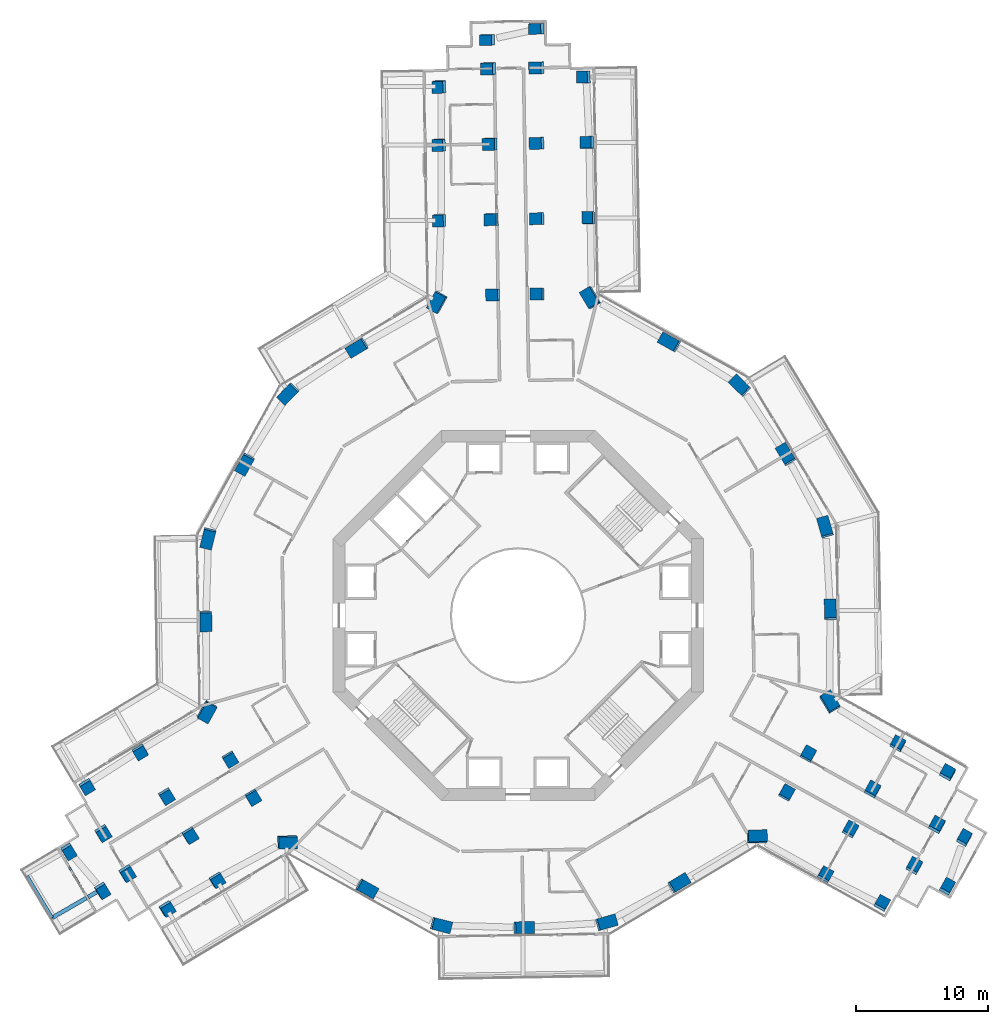
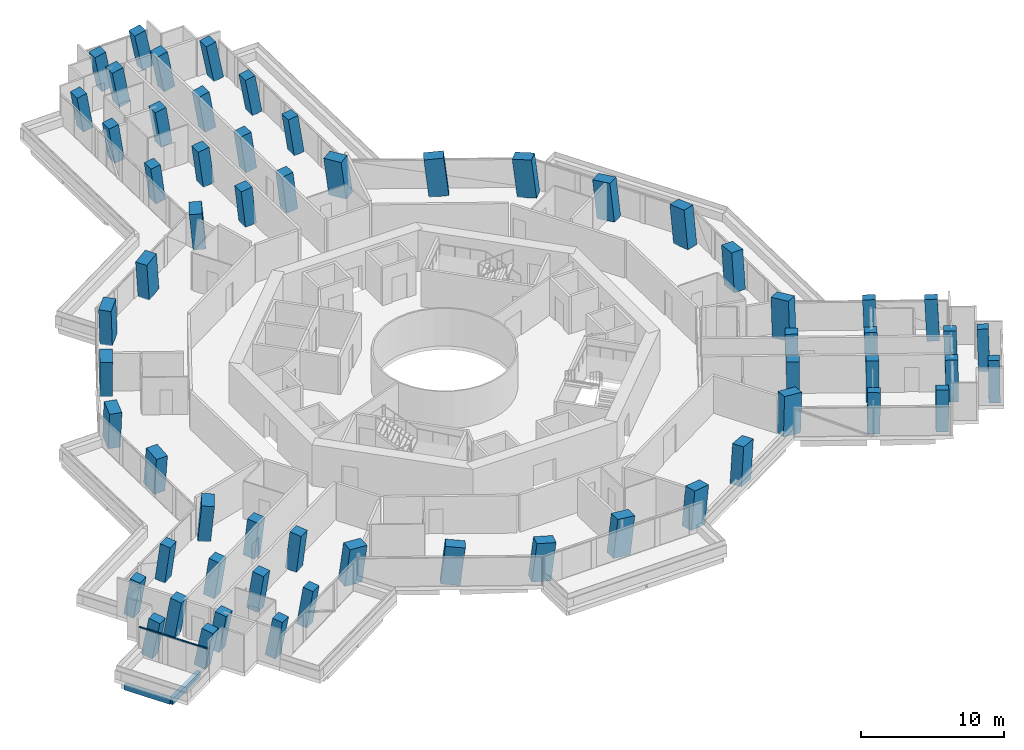
# One storey, part 1 of 25: 61 columns, 2 beams, 1 member, 1 element without a shape of its own.
"""IFC4 building model written with IfcOpenShell, lengths in metres."""

from ifc_helpers import new_model, si_unit, direction, frame, origin, origin_2d, place, context, subcontext, project, spatial, rectangle, extrude, material, layer, layer_set, material_profile, profile_set, type_object, element, aggregate, save


model = new_model("IFC4")

# Units and contexts
model_context = context("Model", 3, precision=1e-05, world=origin(), true_north=direction((0.0, 1.0)))
body_context = subcontext(model_context, "Body", "Model", "MODEL_VIEW")
ifc_project = project(units=[si_unit("LENGTHUNIT", "METRE"), si_unit("AREAUNIT", "SQUARE_METRE"), si_unit("VOLUMEUNIT", "CUBIC_METRE"), si_unit("PLANEANGLEUNIT", "RADIAN"), si_unit("MASSUNIT", "GRAM", prefix="KILO")], contexts=[model_context])

# Site, building, storey
site_placement = place(None, origin())
site = spatial("IfcSite", under=ifc_project, at=site_placement, CompositionType="ELEMENT")
building_placement = place(site_placement, origin())
building = spatial("IfcBuilding", under=site, at=building_placement, Name="Verdalira Terraces Hotel", CompositionType="ELEMENT")
storey_placement = place(building_placement, frame((0.0, 0.0, 39.0)))
storey = spatial("IfcBuildingStorey", under=building, at=storey_placement, Name="L07", CompositionType="ELEMENT", Elevation=39.0)

# Columns
ifc_material_1 = material(Name="Concrete C80", Category="concrete")
ifc_material_profile_1 = material_profile(ifc_material_1, rectangle(XDim=1.399902, YDim=0.899902, at=origin_2d()), Name="RC 1400X900")
ifc_profile_set_1 = profile_set([ifc_material_profile_1], Name="Concrete C80")
column_type_1 = type_object("IfcColumnType", Name="Column RC 1400X900 C80", PredefinedType="COLUMN", material=ifc_profile_set_1)
column_1_placement = place(storey_placement, frame((-6.077637, 23.686279, 0.0), z_axis=(-0.112426319, -0.029797915, 0.993213173), x_axis=(0.478316462, 0.874501313, 0.080379195)))
element("IfcColumn", 1, at=column_1_placement, inside=storey, type_object=column_type_1, Name="Column C07", PredefinedType="COLUMN", context=body_context, shape_type="SweptSolid", body=[
    extrude(rectangle(XDim=1.399902, YDim=0.899902, at=origin_2d()), origin(), (0.0, 0.0, 1.0), 3.21167),
])
column_2_placement = place(storey_placement, frame((-12.14502, 20.244873, 0.0), z_axis=(-0.095823061, -0.058634587, 0.993669928), x_axis=(-0.851951728, -0.511428467, -0.112335108)))
element("IfcColumn", 2, at=column_2_placement, inside=storey, type_object=column_type_1, Name="Column C08", PredefinedType="COLUMN", context=body_context, shape_type="SweptSolid", body=[
    extrude(rectangle(XDim=1.399902, YDim=0.899902, at=origin_2d()), origin(), (0.0, 0.0, 1.0), 3.210205),
])
column_3_placement = place(storey_placement, frame((-17.361084, 16.789062, 0.0), z_axis=(-0.079220615, -0.08325007, 0.993374813), x_axis=(0.690875568, 0.713782466, 0.114915364)))
element("IfcColumn", 3, at=column_3_placement, inside=storey, type_object=column_type_1, Name="Column C09", PredefinedType="COLUMN", context=body_context, shape_type="SweptSolid", body=[
    extrude(rectangle(XDim=1.399902, YDim=0.899902, at=origin_2d()), origin(), (0.0, 0.0, 1.0), 3.211182),
])
column_4_placement = place(storey_placement, frame((-20.640381, 11.459961, 0.0), z_axis=(-0.053691551, -0.098637311, 0.99367394), x_axis=(-0.482457023, -0.868690978, -0.112299622)))
element("IfcColumn", 4, at=column_4_placement, inside=storey, type_object=column_type_1, Name="Column C10", PredefinedType="COLUMN", context=body_context, shape_type="SweptSolid", body=[
    extrude(rectangle(XDim=1.399902, YDim=0.899902, at=origin_2d()), origin(), (0.0, 0.0, 1.0), 3.210205),
])
column_5_placement = place(storey_placement, frame((-23.429688, 5.859131, 0.0), z_axis=(-0.026989812, -0.1116846, 0.993377119), x_axis=(0.241532608, 0.963566831, 0.114895435)))
element("IfcColumn", 5, at=column_5_placement, inside=storey, type_object=column_type_1, Name="Column C11", PredefinedType="COLUMN", context=body_context, shape_type="SweptSolid", body=[
    extrude(rectangle(XDim=1.399902, YDim=0.899902, at=origin_2d()), origin(), (0.0, 0.0, 1.0), 3.211182),
])
column_6_placement = place(storey_placement, frame((-23.60498, -0.395508, 0.0), z_axis=(0.002813845, -0.112325643, 0.993667466), x_axis=(0.016454511, -0.99353167, -0.112356888)))
element("IfcColumn", 6, at=column_6_placement, inside=storey, type_object=column_type_1, Name="Column C12", PredefinedType="COLUMN", context=body_context, shape_type="SweptSolid", body=[
    extrude(rectangle(XDim=1.399902, YDim=0.899902, at=origin_2d()), origin(), (0.0, 0.0, 1.0), 3.210205),
])
column_7_placement = place(storey_placement, frame((-23.540283, -7.241699, 0.0), z_axis=(0.035343639, -0.111655497, 0.993118259), x_axis=(0.490078093, 0.867986237, 0.080145834)))
element("IfcColumn", 7, at=column_7_placement, inside=storey, type_object=column_type_1, Name="Column C13", PredefinedType="COLUMN", context=body_context, shape_type="SweptSolid", body=[
    extrude(rectangle(XDim=1.399902, YDim=0.899902, at=origin_2d()), origin(), (0.0, 0.0, 1.0), 3.212158),
])
column_8_placement = place(storey_placement, frame((-17.474121, -17.106689, 0.0), z_axis=(0.082020711, -0.082400789, 0.993218361), x_axis=(-0.996491804, -0.023413495, 0.080348571)))
element("IfcColumn", 8, at=column_8_placement, inside=storey, type_object=column_type_1, Name="Column C20", PredefinedType="COLUMN", context=body_context, shape_type="SweptSolid", body=[
    extrude(rectangle(XDim=1.399902, YDim=0.899902, at=origin_2d()), origin(), (0.0, 0.0, 1.0), 3.21167),
])
column_9_placement = place(storey_placement, frame((-11.459961, -20.640381, 0.0), z_axis=(0.098637311, -0.053691551, 0.99367394), x_axis=(0.868690978, -0.482457023, -0.112299622)))
element("IfcColumn", 9, at=column_9_placement, inside=storey, type_object=column_type_1, Name="Column C21", PredefinedType="COLUMN", context=body_context, shape_type="SweptSolid", body=[
    extrude(rectangle(XDim=1.399902, YDim=0.899902, at=origin_2d()), origin(), (0.0, 0.0, 1.0), 3.210205),
])
column_10_placement = place(storey_placement, frame((-5.859131, -23.429688, 0.0), z_axis=(0.1116846, -0.026989812, 0.993377119), x_axis=(-0.963566831, 0.241532608, 0.114895435)))
element("IfcColumn", 10, at=column_10_placement, inside=storey, type_object=column_type_1, Name="Column C22", PredefinedType="COLUMN", context=body_context, shape_type="SweptSolid", body=[
    extrude(rectangle(XDim=1.399902, YDim=0.899902, at=origin_2d()), origin(), (0.0, 0.0, 1.0), 3.211182),
])
column_11_placement = place(storey_placement, frame((0.395508, -23.60498, 0.0), z_axis=(0.112325643, 0.002813845, 0.993667466), x_axis=(0.99353167, 0.016454511, -0.112356888)))
element("IfcColumn", 11, at=column_11_placement, inside=storey, type_object=column_type_1, Name="Column C23", PredefinedType="COLUMN", context=body_context, shape_type="SweptSolid", body=[
    extrude(rectangle(XDim=1.399902, YDim=0.899902, at=origin_2d()), origin(), (0.0, 0.0, 1.0), 3.210205),
])
column_12_placement = place(storey_placement, frame((6.640869, -23.220215, 0.0), z_axis=(0.110089596, 0.032464266, 0.993391339), x_axis=(-0.955177519, -0.272879455, 0.11477243)))
element("IfcColumn", 12, at=column_12_placement, inside=storey, type_object=column_type_1, Name="Column C24", PredefinedType="COLUMN", context=body_context, shape_type="SweptSolid", body=[
    extrude(rectangle(XDim=1.399902, YDim=0.899902, at=origin_2d()), origin(), (0.0, 0.0, 1.0), 3.211182),
])
column_13_placement = place(storey_placement, frame((12.14502, -20.244873, 0.0), z_axis=(0.095823061, 0.058634587, 0.993669928), x_axis=(0.851951728, 0.511428467, -0.112335108)))
element("IfcColumn", 13, at=column_13_placement, inside=storey, type_object=column_type_1, Name="Column C25", PredefinedType="COLUMN", context=body_context, shape_type="SweptSolid", body=[
    extrude(rectangle(XDim=1.399902, YDim=0.899902, at=origin_2d()), origin(), (0.0, 0.0, 1.0), 3.210205),
])
column_14_placement = place(storey_placement, frame((18.041748, -16.765625, 0.0), z_axis=(0.078972045, 0.086496812, 0.993117172), x_axis=(-0.99672993, -0.010250883, 0.080152143)))
element("IfcColumn", 14, at=column_14_placement, inside=storey, type_object=column_type_1, Name="Column C26", PredefinedType="COLUMN", context=body_context, shape_type="SweptSolid", body=[
    extrude(rectangle(XDim=1.399902, YDim=0.899902, at=origin_2d()), origin(), (0.0, 0.0, 1.0), 3.212158),
])
column_15_placement = place(storey_placement, frame((23.552002, -6.579834, 0.0), z_axis=(0.030330054, 0.11227441, 0.993214249), x_axis=(0.518750291, -0.851139437, 0.080372844)))
element("IfcColumn", 15, at=column_15_placement, inside=storey, type_object=column_type_1, Name="Column C33", PredefinedType="COLUMN", context=body_context, shape_type="SweptSolid", body=[
    extrude(rectangle(XDim=1.399902, YDim=0.899902, at=origin_2d()), origin(), (0.0, 0.0, 1.0), 3.21167),
])
column_16_placement = place(storey_placement, frame((23.60498, 0.395508, 0.0), z_axis=(-0.002813845, 0.112325643, 0.993667466), x_axis=(-0.016454511, 0.99353167, -0.112356888)))
element("IfcColumn", 16, at=column_16_placement, inside=storey, type_object=column_type_1, Name="Column C34", PredefinedType="COLUMN", context=body_context, shape_type="SweptSolid", body=[
    extrude(rectangle(XDim=1.399902, YDim=0.899902, at=origin_2d()), origin(), (0.0, 0.0, 1.0), 3.210205),
])
column_17_placement = place(storey_placement, frame((23.220215, 6.640869, 0.0), z_axis=(-0.032464266, 0.110089596, 0.993391339), x_axis=(0.272879455, -0.955177519, 0.11477243)))
element("IfcColumn", 17, at=column_17_placement, inside=storey, type_object=column_type_1, Name="Column C35", PredefinedType="COLUMN", context=body_context, shape_type="SweptSolid", body=[
    extrude(rectangle(XDim=1.399902, YDim=0.899902, at=origin_2d()), origin(), (0.0, 0.0, 1.0), 3.211182),
])
column_18_placement = place(storey_placement, frame((20.244873, 12.14502, 0.0), z_axis=(-0.058634587, 0.095823061, 0.993669928), x_axis=(-0.511428467, 0.851951728, -0.112335108)))
element("IfcColumn", 18, at=column_18_placement, inside=storey, type_object=column_type_1, Name="Column C36", PredefinedType="COLUMN", context=body_context, shape_type="SweptSolid", body=[
    extrude(rectangle(XDim=1.399902, YDim=0.899902, at=origin_2d()), origin(), (0.0, 0.0, 1.0), 3.210205),
])
column_19_placement = place(storey_placement, frame((16.789062, 17.361084, 0.0), z_axis=(-0.08325007, 0.079220615, 0.993374813), x_axis=(0.713782466, -0.690875568, 0.114915364)))
element("IfcColumn", 19, at=column_19_placement, inside=storey, type_object=column_type_1, Name="Column C37", PredefinedType="COLUMN", context=body_context, shape_type="SweptSolid", body=[
    extrude(rectangle(XDim=1.399902, YDim=0.899902, at=origin_2d()), origin(), (0.0, 0.0, 1.0), 3.211182),
])
column_20_placement = place(storey_placement, frame((11.459961, 20.640381, 0.0), z_axis=(-0.098637311, 0.053691551, 0.99367394), x_axis=(-0.868690978, 0.482457023, -0.112299622)))
element("IfcColumn", 20, at=column_20_placement, inside=storey, type_object=column_type_1, Name="Column C38", PredefinedType="COLUMN", context=body_context, shape_type="SweptSolid", body=[
    extrude(rectangle(XDim=1.399902, YDim=0.899902, at=origin_2d()), origin(), (0.0, 0.0, 1.0), 3.210205),
])
column_21_placement = place(storey_placement, frame((5.498535, 24.007324, 0.0), z_axis=(-0.114391427, 0.025234521, 0.99311521), x_axis=(0.506584299, -0.858455681, 0.080163528)))
element("IfcColumn", 21, at=column_21_placement, inside=storey, type_object=column_type_1, Name="Column C39", PredefinedType="COLUMN", context=body_context, shape_type="SweptSolid", body=[
    extrude(rectangle(XDim=1.399902, YDim=0.899902, at=origin_2d()), origin(), (0.0, 0.0, 1.0), 3.212158),
])
ifc_material_2 = material(Name="Concrete C80", Category="concrete")
ifc_material_profile_2 = material_profile(ifc_material_2, rectangle(XDim=0.899902, YDim=0.800049, at=origin_2d()), Name="RC 900X800")
ifc_profile_set_2 = profile_set([ifc_material_profile_2], Name="Concrete C80")
column_type_2 = type_object("IfcColumnType", Name="Column RC 900X800 C80", PredefinedType="COLUMN", material=ifc_profile_set_2)
column_22_placement = place(storey_placement, frame((5.397217, 30.058594, 0.0), z_axis=(-0.142396599, 0.017420861, 0.989656366), x_axis=(-0.013831986, 0.99971245, -0.019588091)))
element("IfcColumn", 22, at=column_22_placement, inside=storey, type_object=column_type_2, Name="Column C01", PredefinedType="COLUMN", context=body_context, shape_type="SweptSolid", body=[
    extrude(rectangle(XDim=0.899902, YDim=0.800049, at=origin_2d()), origin(), (0.0, 0.0, 1.0), 3.223389),
])
column_23_placement = place(storey_placement, frame((5.301514, 35.763428, 0.0), z_axis=(-0.168451183, 0.009731394, 0.98566196), x_axis=(-0.01451993, 0.999818275, -0.012352637)))
element("IfcColumn", 23, at=column_23_placement, inside=storey, type_object=column_type_2, Name="Column C02", PredefinedType="COLUMN", context=body_context, shape_type="SweptSolid", body=[
    extrude(rectangle(XDim=0.899902, YDim=0.800049, at=origin_2d()), origin(), (0.0, 0.0, 1.0), 3.236328),
])
column_24_placement = place(storey_placement, frame((5.058594, 40.705811, 0.0), z_axis=(-0.190752832, 0.001427453, 0.981637061), x_axis=(-0.015840805, 0.999864255, -0.004532162)))
element("IfcColumn", 24, at=column_24_placement, inside=storey, type_object=column_type_2, Name="Column C03", PredefinedType="COLUMN", context=body_context, shape_type="SweptSolid", body=[
    extrude(rectangle(XDim=0.899902, YDim=0.800049, at=origin_2d()), origin(), (0.0, 0.0, 1.0), 3.249512),
])
column_25_placement = place(storey_placement, frame((-5.870605, 39.982422, 0.0), z_axis=(-0.186896641, -0.049859128, 0.981113507), x_axis=(0.025350334, -0.998623416, -0.045919866)))
element("IfcColumn", 25, at=column_25_placement, inside=storey, type_object=column_type_2, Name="Column C04", PredefinedType="COLUMN", context=body_context, shape_type="SweptSolid", body=[
    extrude(rectangle(XDim=0.899902, YDim=0.800049, at=origin_2d()), origin(), (0.0, 0.0, 1.0), 3.251465),
])
column_26_placement = place(storey_placement, frame((-5.896973, 35.575684, 0.0), z_axis=(-0.167057669, -0.043045997, 0.985006994), x_axis=(0.023247701, -0.998940686, -0.039712094)))
element("IfcColumn", 26, at=column_26_placement, inside=storey, type_object=column_type_2, Name="Column C05", PredefinedType="COLUMN", context=body_context, shape_type="SweptSolid", body=[
    extrude(rectangle(XDim=0.899902, YDim=0.800049, at=origin_2d()), origin(), (0.0, 0.0, 1.0), 3.238525),
])
column_27_placement = place(storey_placement, frame((-5.891357, 29.869385, 0.0), z_axis=(-0.140990235, -0.036042617, 0.98935468), x_axis=(0.021432228, -0.999213991, -0.033347547)))
element("IfcColumn", 27, at=column_27_placement, inside=storey, type_object=column_type_2, Name="Column C06", PredefinedType="COLUMN", context=body_context, shape_type="SweptSolid", body=[
    extrude(rectangle(XDim=0.899902, YDim=0.800049, at=origin_2d()), origin(), (0.0, 0.0, 1.0), 3.224365),
])
column_28_placement = place(storey_placement, frame((-28.604004, -10.279541, 0.0), z_axis=(0.058786183, -0.129617473, 0.989819931), x_axis=(-0.858440717, -0.512658493, -0.016149448)))
element("IfcColumn", 28, at=column_28_placement, inside=storey, type_object=column_type_2, Name="Column C14", PredefinedType="COLUMN", context=body_context, shape_type="SweptSolid", body=[
    extrude(rectangle(XDim=0.899902, YDim=0.800049, at=origin_2d()), origin(), (0.0, 0.0, 1.0), 3.222656),
])
column_29_placement = place(storey_placement, frame((-32.636475, -12.885254, 0.0), z_axis=(0.079885065, -0.142554823, 0.986557904), x_axis=(-0.857782508, -0.51399028, -0.004812472)))
element("IfcColumn", 29, at=column_29_placement, inside=storey, type_object=column_type_2, Name="Column C15", PredefinedType="COLUMN", context=body_context, shape_type="SweptSolid", body=[
    extrude(rectangle(XDim=0.899902, YDim=0.800049, at=origin_2d()), origin(), (0.0, 0.0, 1.0), 3.233398),
])
column_30_placement = place(storey_placement, frame((-34.022461, -17.786621, 0.0), z_axis=(0.102751801, -0.148519637, 0.983556803), x_axis=(0.504134811, -0.844614686, -0.180205785)))
element("IfcColumn", 30, at=column_30_placement, inside=storey, type_object=column_type_2, Name="Column C16", PredefinedType="COLUMN", context=body_context, shape_type="SweptSolid", body=[
    extrude(rectangle(XDim=0.899902, YDim=0.800049, at=origin_2d()), origin(), (0.0, 0.0, 1.0), 3.243164),
])
column_31_placement = place(storey_placement, frame((-31.480957, -20.73999, 0.0), z_axis=(0.116552518, -0.136429692, 0.98376951), x_axis=(0.501683052, -0.846777185, -0.176868638)))
element("IfcColumn", 31, at=column_31_placement, inside=storey, type_object=column_type_2, Name="Column C17", PredefinedType="COLUMN", context=body_context, shape_type="SweptSolid", body=[
    extrude(rectangle(XDim=0.899902, YDim=0.800049, at=origin_2d()), origin(), (0.0, 0.0, 1.0), 3.242676),
])
column_32_placement = place(storey_placement, frame((-26.57959, -22.125977, 0.0), z_axis=(0.123139548, -0.113556997, 0.985870915), x_axis=(0.852758733, 0.520222797, -0.046591684)))
element("IfcColumn", 32, at=column_32_placement, inside=storey, type_object=column_type_2, Name="Column C18", PredefinedType="COLUMN", context=body_context, shape_type="SweptSolid", body=[
    extrude(rectangle(XDim=0.899902, YDim=0.800049, at=origin_2d()), origin(), (0.0, 0.0, 1.0), 3.235596),
])
column_33_placement = place(storey_placement, frame((-22.790771, -19.969482, 0.0), z_axis=(0.104414891, -0.101613331, 0.989329198), x_axis=(0.854095819, 0.518808235, -0.036855769)))
element("IfcColumn", 33, at=column_33_placement, inside=storey, type_object=column_type_2, Name="Column C19", PredefinedType="COLUMN", context=body_context, shape_type="SweptSolid", body=[
    extrude(rectangle(XDim=0.899902, YDim=0.800049, at=origin_2d()), origin(), (0.0, 0.0, 1.0), 3.224365),
])
column_34_placement = place(storey_placement, frame((23.204346, -19.631836, 0.0), z_axis=(0.082802156, 0.115604839, 0.989838029), x_axis=(0.873127163, -0.487225424, -0.016135159)))
element("IfcColumn", 34, at=column_34_placement, inside=storey, type_object=column_type_2, Name="Column C27", PredefinedType="COLUMN", context=body_context, shape_type="SweptSolid", body=[
    extrude(rectangle(XDim=0.899902, YDim=0.800049, at=origin_2d()), origin(), (0.0, 0.0, 1.0), 3.222656),
])
column_35_placement = place(storey_placement, frame((27.477295, -21.821289, 0.0), z_axis=(0.083509596, 0.140441092, 0.986560919), x_axis=(0.874001493, -0.485899408, -0.004811936)))
element("IfcColumn", 35, at=column_35_placement, inside=storey, type_object=column_type_2, Name="Column C28", PredefinedType="COLUMN", context=body_context, shape_type="SweptSolid", body=[
    extrude(rectangle(XDim=0.899902, YDim=0.800049, at=origin_2d()), origin(), (0.0, 0.0, 1.0), 3.233398),
])
column_36_placement = place(storey_placement, frame((32.414795, -20.571045, 0.0), z_axis=(0.077232941, 0.163273148, 0.983553228), x_axis=(0.479276976, 0.8589601, -0.180225213)))
element("IfcColumn", 36, at=column_36_placement, inside=storey, type_object=column_type_2, Name="Column C29", PredefinedType="COLUMN", context=body_context, shape_type="SweptSolid", body=[
    extrude(rectangle(XDim=0.899902, YDim=0.800049, at=origin_2d()), origin(), (0.0, 0.0, 1.0), 3.243164),
])
column_37_placement = place(storey_placement, frame((33.701904, -16.893311, 0.0), z_axis=(0.059857163, 0.169181188, 0.983765646), x_axis=(0.48235983, 0.857927206, -0.176889522)))
element("IfcColumn", 37, at=column_37_placement, inside=storey, type_object=column_type_2, Name="Column C30", PredefinedType="COLUMN", context=body_context, shape_type="SweptSolid", body=[
    extrude(rectangle(XDim=0.899902, YDim=0.800049, at=origin_2d()), origin(), (0.0, 0.0, 1.0), 3.242676),
])
column_38_placement = place(storey_placement, frame((32.451416, -11.955811, 0.0), z_axis=(0.036745204, 0.16350484, 0.98585798), x_axis=(-0.877037876, 0.478154584, -0.046612853)))
element("IfcColumn", 38, at=column_38_placement, inside=storey, type_object=column_type_2, Name="Column C31", PredefinedType="COLUMN", context=body_context, shape_type="SweptSolid", body=[
    extrude(rectangle(XDim=0.899902, YDim=0.800049, at=origin_2d()), origin(), (0.0, 0.0, 1.0), 3.235596),
])
column_39_placement = place(storey_placement, frame((28.689453, -9.752686, 0.0), z_axis=(0.035814602, 0.141214021, 0.989331044), x_axis=(-0.876262506, 0.480422633, -0.036852598)))
element("IfcColumn", 39, at=column_39_placement, inside=storey, type_object=column_type_2, Name="Column C32", PredefinedType="COLUMN", context=body_context, shape_type="SweptSolid", body=[
    extrude(rectangle(XDim=0.899902, YDim=0.800049, at=origin_2d()), origin(), (0.0, 0.0, 1.0), 3.224365),
])
column_40_placement = place(storey_placement, frame((1.50708, 44.356689, 0.0), z_axis=(-0.207080288, -0.015347599, 0.97820356), x_axis=(-0.978181381, -0.013821314, -0.207292444)))
element("IfcColumn", 40, at=column_40_placement, inside=storey, type_object=column_type_2, Name="Column C40", PredefinedType="COLUMN", context=body_context, shape_type="SweptSolid", body=[
    extrude(rectangle(XDim=0.899902, YDim=0.800049, at=origin_2d()), origin(), (0.0, 0.0, 1.0), 3.260986),
])
column_41_placement = place(storey_placement, frame((-2.219727, 43.53418, 0.0), z_axis=(-0.203120629, -0.03280488, 0.978604031), x_axis=(-0.979008807, -0.010390156, -0.203552944)))
element("IfcColumn", 41, at=column_41_placement, inside=storey, type_object=column_type_2, Name="Column C41", PredefinedType="COLUMN", context=body_context, shape_type="SweptSolid", body=[
    extrude(rectangle(XDim=0.899902, YDim=0.800049, at=origin_2d()), origin(), (0.0, 0.0, 1.0), 3.259766),
])
ifc_material_3 = material(Name="Concrete C80", Category="concrete")
ifc_material_profile_3 = material_profile(ifc_material_3, rectangle(XDim=0.899902, YDim=0.899902, at=origin_2d()), Name="RC 900X900")
ifc_profile_set_3 = profile_set([ifc_material_profile_3], Name="Concrete C80")
column_type_3 = type_object("IfcColumnType", Name="Column RC 900X900 C80", PredefinedType="COLUMN", material=ifc_profile_set_3)
for number, where, z_axis, x_axis, name in (
    (42, (1.499756, 24.286865, 0.0), (-0.115550998, 0.006157652, 0.993282462), (-0.015874823, 0.999841621, -0.008045071), "Column C42"),
    (43, (-1.856201, 24.230713, 0.0), (-0.115172592, -0.009806775, 0.993297086), (-0.017769532, 0.9998116, 0.007810719), "Column C43"),
):
    element("IfcColumn", number, at=place(storey_placement, frame(where, z_axis=z_axis, x_axis=x_axis)), inside=storey, type_object=column_type_3, Name=name, PredefinedType="COLUMN", context=body_context, shape_type="SweptSolid", body=[
        extrude(rectangle(XDim=0.899902, YDim=0.899902, at=origin_2d()), origin(), (0.0, 0.0, 1.0), 3.211426),
    ])
column_42_placement = place(storey_placement, frame((1.499756, 29.993408, 0.0), z_axis=(-0.141972782, -0.001060629, 0.989869994), x_axis=(-0.016583092, 0.999861637, -0.001307106)))
element("IfcColumn", 44, at=column_42_placement, inside=storey, type_object=column_type_3, Name="Column C44", PredefinedType="COLUMN", context=body_context, shape_type="SweptSolid", body=[
    extrude(rectangle(XDim=0.899902, YDim=0.899902, at=origin_2d()), origin(), (0.0, 0.0, 1.0), 3.222656),
])
column_43_placement = place(storey_placement, frame((-1.951904, 29.935547, 0.0), z_axis=(-0.141505942, -0.017423109, 0.989784069), x_axis=(-0.018997454, 0.999708772, 0.014881813)))
element("IfcColumn", 45, at=column_43_placement, inside=storey, type_object=column_type_3, Name="Column C45", PredefinedType="COLUMN", context=body_context, shape_type="SweptSolid", body=[
    extrude(rectangle(XDim=0.899902, YDim=0.899902, at=origin_2d()), origin(), (0.0, 0.0, 1.0), 3.2229),
])
column_44_placement = place(storey_placement, frame((1.499756, 35.699707, 0.0), z_axis=(-0.168086942, -0.008223284, 0.985737875), x_axis=(-0.017649546, 0.999830021, 0.005331263)))
element("IfcColumn", 46, at=column_44_placement, inside=storey, type_object=column_type_3, Name="Column C46", PredefinedType="COLUMN", context=body_context, shape_type="SweptSolid", body=[
    extrude(rectangle(XDim=0.899902, YDim=0.899902, at=origin_2d()), origin(), (0.0, 0.0, 1.0), 3.236084),
])
column_45_placement = place(storey_placement, frame((-2.047363, 35.640381, 0.0), z_axis=(-0.167600433, -0.024966581, 0.985538819), x_axis=(-0.020538414, 0.999550738, 0.021828788)))
element("IfcColumn", 47, at=column_45_placement, inside=storey, type_object=column_type_3, Name="Column C47", PredefinedType="COLUMN", context=body_context, shape_type="SweptSolid", body=[
    extrude(rectangle(XDim=0.899902, YDim=0.899902, at=origin_2d()), origin(), (0.0, 0.0, 1.0), 3.236816),
])
column_46_placement = place(storey_placement, frame((1.499756, 41.40625, 0.0), z_axis=(-0.193840405, -0.015315044, 0.980913527), x_axis=(-0.019055811, 0.999748273, 0.011843452)))
element("IfcColumn", 48, at=column_46_placement, inside=storey, type_object=column_type_3, Name="Column C48", PredefinedType="COLUMN", context=body_context, shape_type="SweptSolid", body=[
    extrude(rectangle(XDim=0.899902, YDim=0.899902, at=origin_2d()), origin(), (0.0, 0.0, 1.0), 3.251953),
])
column_47_placement = place(storey_placement, frame((-2.143066, 41.345215, 0.0), z_axis=(-0.193255586, -0.032421908, 0.980612614), x_axis=(-0.022494025, 0.999337582, 0.028607969)))
element("IfcColumn", 49, at=column_47_placement, inside=storey, type_object=column_type_3, Name="Column C49", PredefinedType="COLUMN", context=body_context, shape_type="SweptSolid", body=[
    extrude(rectangle(XDim=0.899902, YDim=0.899902, at=origin_2d()), origin(), (0.0, 0.0, 1.0), 3.25293),
])
for number, where, z_axis, x_axis, name in (
    (50, (-21.782959, -10.844482, 0.0), (0.052453982, -0.103159499, 0.993280775), (-0.857927973, -0.513706973, -0.008046078), "Column C50"),
    (51, (-20.056152, -13.7229, 0.0), (0.066063018, -0.094799291, 0.993301954), (-0.856935676, -0.515364225, 0.007807892), "Column C51"),
):
    element("IfcColumn", number, at=place(storey_placement, frame(where, z_axis=z_axis, x_axis=x_axis)), inside=storey, type_object=column_type_3, Name=name, PredefinedType="COLUMN", context=body_context, shape_type="SweptSolid", body=[
        extrude(rectangle(XDim=0.899902, YDim=0.899902, at=origin_2d()), origin(), (0.0, 0.0, 1.0), 3.211426),
    ])
column_48_placement = place(storey_placement, frame((-26.597412, -13.624268, 0.0), z_axis=(0.074479842, -0.11994058, 0.989983338), x_axis=(-0.85739263, -0.514658381, 0.002151595)))
element("IfcColumn", 52, at=column_48_placement, inside=storey, type_object=column_type_3, Name="Column C52", PredefinedType="COLUMN", context=body_context, shape_type="SweptSolid", body=[
    extrude(rectangle(XDim=0.899902, YDim=0.899902, at=origin_2d()), origin(), (0.0, 0.0, 1.0), 3.222168),
])
column_49_placement = place(storey_placement, frame((-24.822754, -16.58252, 0.0), z_axis=(0.088483457, -0.111361885, 0.989832919), x_axis=(-0.855771187, -0.517029656, 0.018330564)))
element("IfcColumn", 53, at=column_49_placement, inside=storey, type_object=column_type_3, Name="Column C53", PredefinedType="COLUMN", context=body_context, shape_type="SweptSolid", body=[
    extrude(rectangle(XDim=0.899902, YDim=0.899902, at=origin_2d()), origin(), (0.0, 0.0, 1.0), 3.222656),
])
column_50_placement = place(storey_placement, frame((-31.411865, -16.403809, 0.0), z_axis=(0.096359609, -0.136578615, 0.985931594), x_axis=(-0.856398236, -0.516171798, 0.012195744)))
element("IfcColumn", 54, at=column_50_placement, inside=storey, type_object=column_type_3, Name="Column C54", PredefinedType="COLUMN", context=body_context, shape_type="SweptSolid", body=[
    extrude(rectangle(XDim=0.899902, YDim=0.899902, at=origin_2d()), origin(), (0.0, 0.0, 1.0), 3.235352),
])
column_51_placement = place(storey_placement, frame((-29.589355, -19.441895, 0.0), z_axis=(0.110585889, -0.127784785, 0.985617476), x_axis=(-0.85461765, -0.51846578, 0.028668946)))
element("IfcColumn", 55, at=column_51_placement, inside=storey, type_object=column_type_3, Name="Column C55", PredefinedType="COLUMN", context=body_context, shape_type="SweptSolid", body=[
    extrude(rectangle(XDim=0.899902, YDim=0.899902, at=origin_2d()), origin(), (0.0, 0.0, 1.0), 3.236572),
])
for number, where, z_axis, x_axis, name in (
    (56, (20.283203, -13.442139, 0.0), (0.063097371, 0.096926684, 0.993289454), (0.873715914, -0.48637007, -0.008040898), "Column C56"),
    (57, (21.912598, -10.507812, 0.0), (0.049034225, 0.104606347, 0.993304161), (0.874901128, -0.484238654, 0.00780661), "Column C57"),
):
    element("IfcColumn", number, at=place(storey_placement, frame(where, z_axis=z_axis, x_axis=x_axis)), inside=storey, type_object=column_type_3, Name=name, PredefinedType="COLUMN", context=body_context, shape_type="SweptSolid", body=[
        extrude(rectangle(XDim=0.899902, YDim=0.899902, at=origin_2d()), origin(), (0.0, 0.0, 1.0), 3.211426),
    ])
column_52_placement = place(storey_placement, frame((25.097656, -16.221924, 0.0), z_axis=(0.0666748, 0.12456065, 0.98996925), x_axis=(0.874417183, -0.485170027, 0.0021531)))
element("IfcColumn", 58, at=column_52_placement, inside=storey, type_object=column_type_3, Name="Column C58", PredefinedType="COLUMN", context=body_context, shape_type="SweptSolid", body=[
    extrude(rectangle(XDim=0.899902, YDim=0.899902, at=origin_2d()), origin(), (0.0, 0.0, 1.0), 3.222168),
])
column_53_placement = place(storey_placement, frame((26.772217, -13.206055, 0.0), z_axis=(0.052271458, 0.13234527, 0.989824441), x_axis=(0.875466933, -0.482929975, 0.018338166)))
element("IfcColumn", 59, at=column_53_placement, inside=storey, type_object=column_type_3, Name="Column C59", PredefinedType="COLUMN", context=body_context, shape_type="SweptSolid", body=[
    extrude(rectangle(XDim=0.899902, YDim=0.899902, at=origin_2d()), origin(), (0.0, 0.0, 1.0), 3.222656),
])
column_54_placement = place(storey_placement, frame((29.912109, -19.001465, 0.0), z_axis=(0.070100228, 0.151745489, 0.985930659), x_axis=(0.875226055, -0.483560345, 0.012196146)))
element("IfcColumn", 60, at=column_54_placement, inside=storey, type_object=column_type_3, Name="Column C60", PredefinedType="COLUMN", context=body_context, shape_type="SweptSolid", body=[
    extrude(rectangle(XDim=0.899902, YDim=0.899902, at=origin_2d()), origin(), (0.0, 0.0, 1.0), 3.235352),
])
column_55_placement = place(storey_placement, frame((31.631836, -15.904297, 0.0), z_axis=(0.055367451, 0.159766022, 0.985600966), x_axis=(0.876422675, -0.480687477, 0.028685277)))
element("IfcColumn", 61, at=column_55_placement, inside=storey, type_object=column_type_3, Name="Column C61", PredefinedType="COLUMN", context=body_context, shape_type="SweptSolid", body=[
    extrude(rectangle(XDim=0.899902, YDim=0.899902, at=origin_2d()), origin(), (0.0, 0.0, 1.0), 3.236572),
])

# Beams
ifc_material_4 = material(Name="Concrete C40", Category="concrete")
ifc_material_profile_4 = material_profile(ifc_material_4, rectangle(XDim=0.300049, YDim=0.5, at=origin_2d()), Name="RC 300X500")
ifc_profile_set_4 = profile_set([ifc_material_profile_4], Name="Concrete C40")
beam_type_1 = type_object("IfcBeamType", Name="Balcony cantilever beam RC 300X500 C40", PredefinedType="BEAM", material=ifc_profile_set_4)
beam_1_placement = place(storey_placement, frame((-31.850098, -20.907959, -0.560059), z_axis=(-0.86603161, -0.49998925, 0.0), x_axis=(0.49998925, -0.86603161, 0.0)))
element("IfcBeam", 62, at=beam_1_placement, inside=storey, type_object=beam_type_1, Name="Balcony cantilever beam R19-2", PredefinedType="BEAM", context=body_context, shape_type="SweptSolid", body=[
    extrude(rectangle(XDim=0.300049, YDim=0.5, at=origin_2d()), origin(), (0.0, 0.0, 1.0), 3.907715),
])
ifc_material_5 = material(Name="Concrete C40", Category="concrete")
ifc_material_profile_5 = material_profile(ifc_material_5, rectangle(XDim=0.25, YDim=0.449951, at=origin_2d()), Name="RC 250X450")
ifc_profile_set_5 = profile_set([ifc_material_profile_5], Name="Concrete C40")
beam_type_2 = type_object("IfcBeamType", Name="Balcony edge beam RC 250X450 C40", PredefinedType="BEAM", material=ifc_profile_set_5)
beam_2_placement = place(storey_placement, frame((-37.127197, -19.706299, -0.534912), z_axis=(0.514398181, -0.857551463, 0.0), x_axis=(0.857551463, 0.514398181, 0.0)))
element("IfcBeam", 63, at=beam_2_placement, inside=storey, type_object=beam_type_2, Name="Balcony edge beam R19-1", PredefinedType="BEAM", context=body_context, shape_type="SweptSolid", body=[
    extrude(rectangle(XDim=0.25, YDim=0.449951, at=origin_2d()), origin(), (0.0, 0.0, 1.0), 3.679688),
])

# Curtain wall, member
ifc_material_6 = material(Name="Clear glass", Category="glass")
ifc_layer = layer(ifc_material_6, 0.14990234375)
ifc_layer_set = layer_set([ifc_layer], Name="CW3 curtain wall")
curtain_wall_type = type_object("IfcCurtainWallType", Name="CW3 curtain wall", PredefinedType="NOTDEFINED", material=ifc_layer_set)
curtain_wall_placement = place(storey_placement, origin())
curtain_wall = element("IfcCurtainWall", 64, at=curtain_wall_placement, inside=storey, type_object=curtain_wall_type, Name="CW3 curtain wall L07 edge 19", PredefinedType="NOTDEFINED")
ifc_material_7 = material(Name="Terracotta frame", Category="masonry")
ifc_material_profile_6 = material_profile(ifc_material_7, rectangle(XDim=0.120117, YDim=0.064941, at=origin_2d()), Name="TR 65x120")
ifc_profile_set_6 = profile_set([ifc_material_profile_6], Name="Terracotta frame")
member_type = type_object("IfcMemberType", Name="CW3 transom 65x120", PredefinedType="USERDEFINED", material=ifc_profile_set_6)
member_placement = place(storey_placement, frame((-34.772705, -17.653564, 2.45752), z_axis=(0.514417421, -0.857539922, 0.0), x_axis=(0.857539922, 0.514417421, 0.0)))
member = element("IfcMember", 65, at=member_placement, type_object=member_type, Name="CW3 transom", ObjectType="TRANSOM", PredefinedType="USERDEFINED", context=body_context, shape_type="SweptSolid", body=[
    extrude(rectangle(XDim=0.120117, YDim=0.064941, at=origin_2d()), origin(), (0.0, 0.0, 1.0), 5.5),
])
aggregate(curtain_wall, [member])

save(model, "model.ifc")
